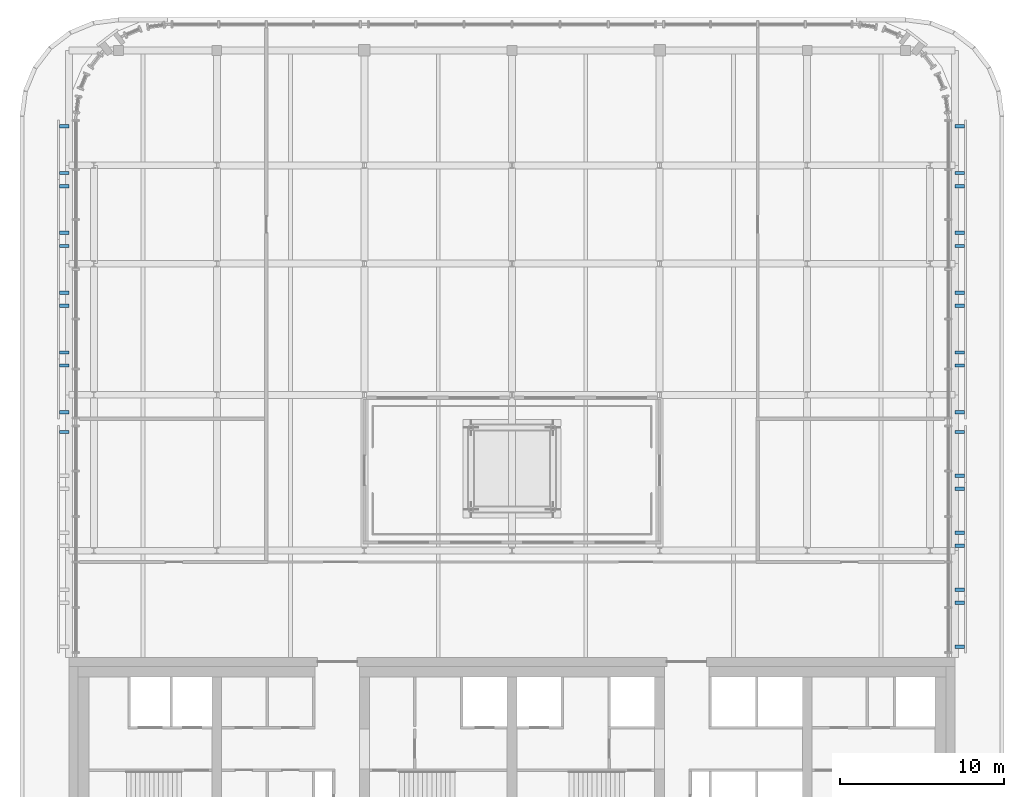
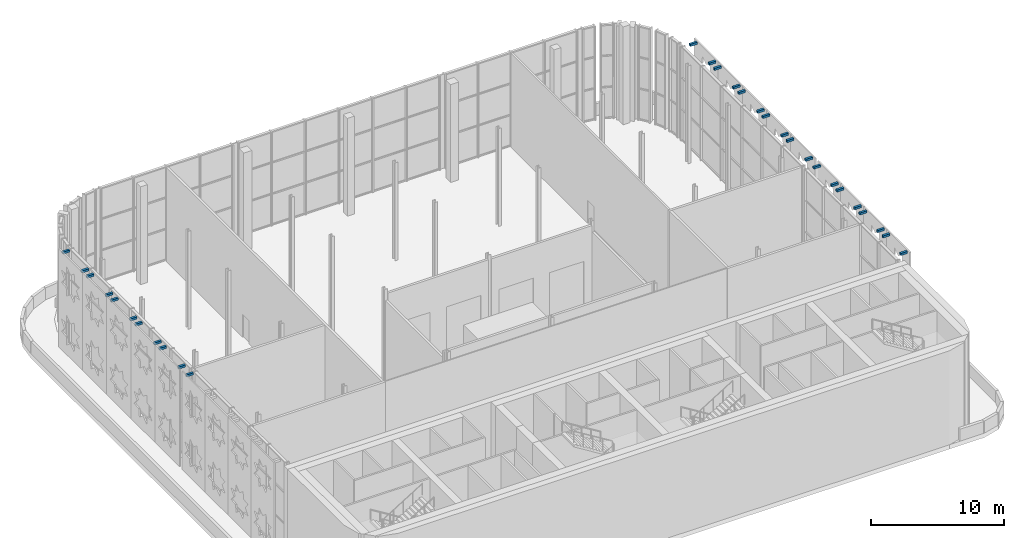
# One storey, part 21 of 26: 29 discrete accessories.
"""IFC4 building model written with IfcOpenShell, lengths in metres."""

from ifc_helpers import new_model, si_unit, direction, frame, origin, origin_2d, place, context, subcontext, project, spatial, rectangle, extrude, material, type_object, element, save


model = new_model("IFC4")

# Units and contexts
model_context = context("Model", 3, precision=1e-05, world=origin(), true_north=direction((0.0, 1.0)))
body_context = subcontext(model_context, "Body", "Model", "MODEL_VIEW")
ifc_project = project(units=[si_unit("LENGTHUNIT", "METRE"), si_unit("AREAUNIT", "SQUARE_METRE"), si_unit("VOLUMEUNIT", "CUBIC_METRE"), si_unit("PLANEANGLEUNIT", "RADIAN"), si_unit("MASSUNIT", "GRAM", prefix="KILO")], contexts=[model_context])

# Site, building, storey
site_placement = place(None, origin())
site = spatial("IfcSite", under=ifc_project, at=site_placement, CompositionType="ELEMENT")
building_placement = place(site_placement, origin())
building = spatial("IfcBuilding", under=site, at=building_placement, Name="Zellij Exchange Tower", CompositionType="ELEMENT")
storey_placement = place(building_placement, frame((0.0, 0.0, 296.5)))
storey = spatial("IfcBuildingStorey", under=building, at=storey_placement, Name="L70", CompositionType="ELEMENT", Elevation=296.5)

# Discrete accessories
ifc_material = material(Name="Stainless steel", Category="steel")
discrete_accessory_type = type_object("IfcDiscreteAccessoryType", Name="ENV-BR1 Stone panel bracket 200", PredefinedType="USERDEFINED", material=ifc_material)
for number, where, z_axis, x_axis, name in (
    (1, (27.300048828125, -1.35009765625, 8.72509765625), (0.0, 0.0, 1.0), (0.0, 1.0, 0.0), "Panel bracket"),
    (2, (27.300048828125, 1.322998046875, 8.72509765625), (0.0, 0.0, 1.0), (0.0, 1.0, 0.0), "Panel bracket"),
    (3, (27.300048828125, 2.123046875, 8.72509765625), (0.0, 0.0, 1.0), (0.0, 1.0, 0.0), "Panel bracket"),
    (4, (27.300048828125, 4.796142578125, 8.72509765625), (0.0, 0.0, 1.0), (0.0, 1.0, 0.0), "Panel bracket"),
    (5, (27.300048828125, 5.59619140625, 8.72509765625), (0.0, 0.0, 1.0), (0.0, 1.0, 0.0), "Panel bracket"),
    (6, (27.300048828125, 8.26904296875, 8.72509765625), (0.0, 0.0, 1.0), (0.0, 1.0, 0.0), "Panel bracket"),
    (7, (27.300048828125, 9.069091796875, 8.72509765625), (0.0, 0.0, 1.0), (0.0, 1.0, 0.0), "Panel bracket"),
    (8, (27.300048828125, 11.7421875, 8.72509765625), (0.0, 0.0, 1.0), (0.0, 1.0, 0.0), "Panel bracket"),
    (9, (27.300048828125, 12.942138671875, 8.72509765625), (0.0, 0.0, 1.0), (0.0, 1.0, 0.0), "Panel bracket"),
    (10, (27.300048828125, 15.78857421875, 8.72509765625), (0.0, 0.0, 1.0), (0.0, 1.0, 0.0), "Panel bracket"),
    (11, (27.300048828125, 16.58837890625, 8.72509765625), (0.0, 0.0, 1.0), (0.0, 1.0, 0.0), "Panel bracket"),
    (12, (27.300048828125, 19.434814453125, 8.72509765625), (0.0, 0.0, 1.0), (0.0, 1.0, 0.0), "Panel bracket"),
    (13, (27.300048828125, 20.23486328125, 8.72509765625), (0.0, 0.0, 1.0), (0.0, 1.0, 0.0), "Panel bracket"),
    (14, (27.300048828125, 23.0810546875, 8.72509765625), (0.0, 0.0, 1.0), (0.0, 1.0, 0.0), "Panel bracket"),
    (15, (27.300048828125, 23.881103515625, 8.72509765625), (0.0, 0.0, 1.0), (0.0, 1.0, 0.0), "Panel bracket"),
    (16, (27.300048828125, 26.727294921875, 8.72509765625), (0.0, 0.0, 1.0), (0.0, 1.0, 0.0), "Panel bracket"),
    (17, (27.300048828125, 27.52734375, 8.72509765625), (0.0, 0.0, 1.0), (0.0, 1.0, 0.0), "Panel bracket"),
    (18, (27.300048828125, 30.373779296875, 8.72509765625), (0.0, 0.0, 1.0), (0.0, 1.0, 0.0), "Panel bracket"),
    (19, (-27.300048828125, 30.373779296875, 8.72509765625), (0.0, 0.0, 1.0), (0.0, -1.0, 0.0), "Panel bracket"),
    (20, (-27.300048828125, 27.527587890625, 8.72509765625), (0.0, 0.0, 1.0), (0.0, -1.0, 0.0), "Panel bracket"),
    (21, (-27.300048828125, 26.7275390625, 8.72509765625), (0.0, 0.0, 1.0), (0.0, -1.0, 0.0), "Panel bracket"),
    (22, (-27.300048828125, 23.881103515625, 8.72509765625), (0.0, 0.0, 1.0), (0.0, -1.0, 0.0), "Panel bracket"),
    (23, (-27.300048828125, 23.0810546875, 8.72509765625), (0.0, 0.0, 1.0), (0.0, -1.0, 0.0), "Panel bracket"),
    (24, (-27.300048828125, 20.23486328125, 8.72509765625), (0.0, 0.0, 1.0), (0.0, -1.0, 0.0), "Panel bracket"),
    (25, (-27.300048828125, 19.434814453125, 8.72509765625), (0.0, 0.0, 1.0), (0.0, -1.0, 0.0), "Panel bracket"),
    (26, (-27.300048828125, 16.58837890625, 8.72509765625), (0.0, 0.0, 1.0), (0.0, -1.0, 0.0), "Panel bracket"),
    (27, (-27.300048828125, 15.78857421875, 8.72509765625), (0.0, 0.0, 1.0), (0.0, -1.0, 0.0), "Panel bracket"),
    (28, (-27.300048828125, 12.942138671875, 8.72509765625), (0.0, 0.0, 1.0), (0.0, -1.0, 0.0), "Panel bracket"),
    (29, (-27.300048828125, 11.7421875, 8.72509765625), (0.0, 0.0, 1.0), (0.0, -1.0, 0.0), "Panel bracket"),
):
    element("IfcDiscreteAccessory", number, at=place(storey_placement, frame(where, z_axis=z_axis, x_axis=x_axis)), inside=storey, type_object=discrete_accessory_type, Name=name, ObjectType="BRACKET", PredefinedType="USERDEFINED", context=body_context, shape_type="SweptSolid", body=[
        extrude(rectangle(XDim=0.199951171875, YDim=0.60009765625, at=origin_2d()), origin(), (0.0, 0.0, 1.0), 0.199951171875),
    ])

save(model, "model.ifc")
